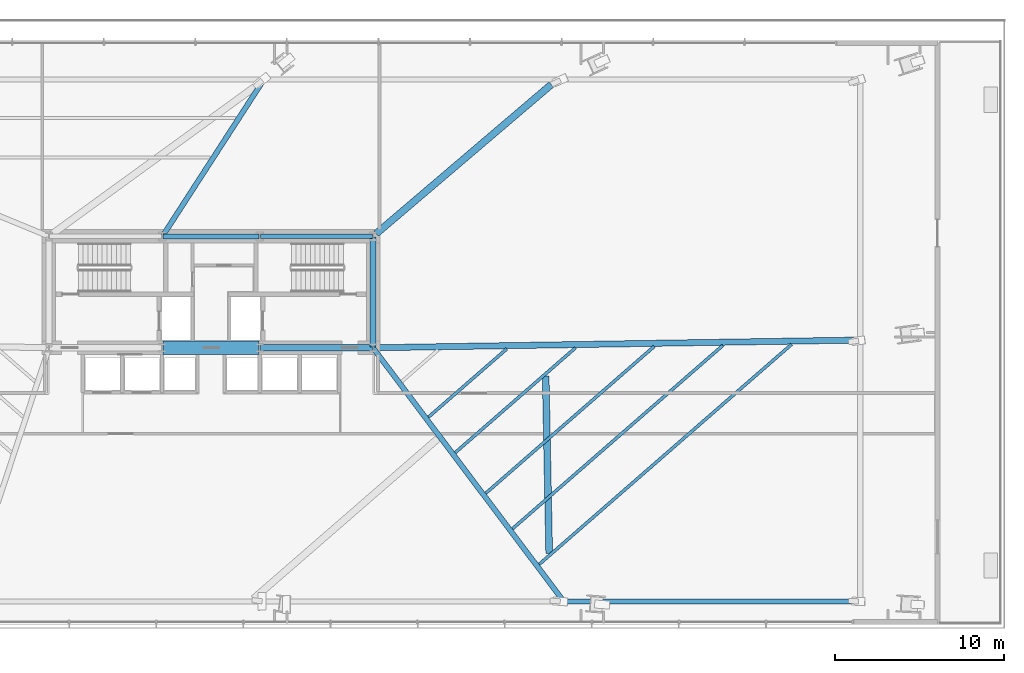
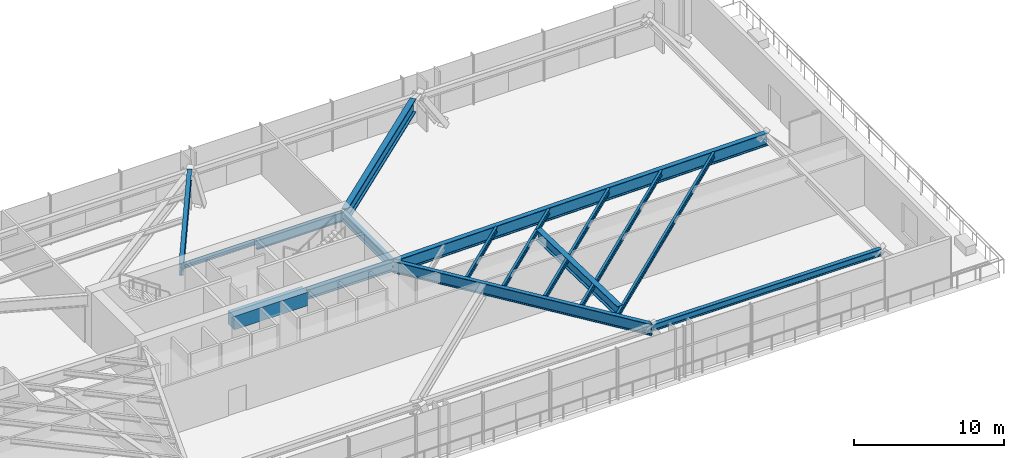
# One storey, part 15 of 36: 16 beams.
"""IFC4 building model written with IfcOpenShell, lengths in metres."""

from ifc_helpers import new_model, si_unit, direction, frame, origin, origin_2d, place, context, subcontext, project, spatial, rectangle, i_section, extrude, source, transform, mapped, material, material_profile, profile_set, type_object, type_shapes, element, save


model = new_model("IFC4")

# Units and contexts
model_context = context("Model", 3, precision=1e-05, world=origin(), true_north=direction((0.0, 1.0)))
body_context = subcontext(model_context, "Body", "Model", "MODEL_VIEW")
ifc_project = project(units=[si_unit("LENGTHUNIT", "METRE"), si_unit("AREAUNIT", "SQUARE_METRE"), si_unit("VOLUMEUNIT", "CUBIC_METRE"), si_unit("PLANEANGLEUNIT", "RADIAN"), si_unit("MASSUNIT", "GRAM", prefix="KILO")], contexts=[model_context])

# Site, building, storey
site_placement = place(None, origin())
site = spatial("IfcSite", under=ifc_project, at=site_placement, CompositionType="ELEMENT")
building_placement = place(site_placement, origin())
building = spatial("IfcBuilding", under=site, at=building_placement, Name="Astriad Promenade Condominiums", CompositionType="ELEMENT")
storey_placement = place(building_placement, frame((0.0, 0.0, 5.0)))
storey = spatial("IfcBuildingStorey", under=building, at=storey_placement, Name="L01", CompositionType="ELEMENT", Elevation=5.0)

# Beams
ifc_material_1 = material(Name="Steel ASTM A992 Grade 50", Category="steel")
ifc_material_profile_1 = material_profile(ifc_material_1, i_section(OverallWidth=0.3837890625, OverallDepth=0.785888671875, WebThickness=0.019775390625, FlangeThickness=0.033447265625, FilletRadius=0.021484375, at=origin_2d()), Name="W30X211")
ifc_profile_set_1 = profile_set([ifc_material_profile_1], Name="Steel ASTM A992 Grade 50")
beam_type_1 = type_object("IfcBeamType", Name="STEEL FLOOR GIRDER W30X211", PredefinedType="BEAM", material=ifc_profile_set_1)
shared_shape_1 = source(origin(), body_context, "Body", "SweptSolid", [
    extrude(i_section(OverallWidth=0.3837890625, OverallDepth=0.785888671875, WebThickness=0.019775390625, FlangeThickness=0.033447265625, FilletRadius=0.021484375, at=origin_2d()), origin(), (0.0, 0.0, 1.0), 6.64013671875),
])
type_shapes(beam_type_1, [shared_shape_1])
beam_1_placement = place(storey_placement, frame((38.919921875, 17.39990234375, 3.68701171875), z_axis=(1.0, 0.0, 0.0), x_axis=(0.0, 1.0, 0.0)))
element("IfcBeam", 1, at=beam_1_placement, inside=storey, type_object=beam_type_1, Name="Core Ring Beam CG-S3-L01", PredefinedType="BEAM", context=body_context, shape_type="MappedRepresentation", body=[
    mapped(shared_shape_1, transform((0.0, 0.0, 0.0), scale=1.0)),
])
ifc_material_2 = material(Name="Concrete C80/95", Category="concrete")
ifc_material_profile_2 = material_profile(ifc_material_2, rectangle(XDim=0.800048828125, YDim=1.10009765625, at=origin_2d()), Name="RC-BM-800X1100")
ifc_profile_set_2 = profile_set([ifc_material_profile_2], Name="Concrete C80/95")
beam_type_2 = type_object("IfcBeamType", Name="CONCRETE CORE COUPLING LINTEL 800X1100", PredefinedType="LINTEL", material=ifc_profile_set_2)
shared_shape_2 = source(origin(), body_context, "Body", "SweptSolid", [
    extrude(rectangle(XDim=0.800048828125, YDim=1.10009765625, at=origin_2d()), origin(), (0.0, 0.0, 1.0), 5.68017578125),
])
type_shapes(beam_type_2, [shared_shape_2])
beam_2_placement = place(storey_placement, frame((33.159912109375, 17.39990234375, 3.530029296875), z_axis=(1.0, 0.0, 0.0), x_axis=(0.0, 1.0, 0.0)))
element("IfcBeam", 2, at=beam_2_placement, inside=storey, type_object=beam_type_2, Name="Core Ring Beam CG-S2-L01", PredefinedType="LINTEL", context=body_context, shape_type="MappedRepresentation", body=[
    mapped(shared_shape_2, transform((0.0, 0.0, 0.0), scale=1.0)),
])
ifc_material_profile_3 = material_profile(ifc_material_1, i_section(OverallWidth=0.267822265625, OverallDepth=0.76953125, WebThickness=0.015625, FlangeThickness=0.025390625, FilletRadius=0.021484375, at=origin_2d()), Name="W30X132")
ifc_profile_set_3 = profile_set([ifc_material_profile_3], Name="Steel ASTM A992 Grade 50")
beam_type_3 = type_object("IfcBeamType", Name="STEEL FLOOR GIRDER W30X132", PredefinedType="BEAM", material=ifc_profile_set_3)
shared_shape_3 = source(origin(), body_context, "Body", "SweptSolid", [
    extrude(i_section(OverallWidth=0.267822265625, OverallDepth=0.76953125, WebThickness=0.015625, FlangeThickness=0.025390625, FilletRadius=0.021484375, at=origin_2d()), origin(), (0.0, 0.0, 1.0), 6.64013671875),
])
type_shapes(beam_type_3, [shared_shape_3])
beam_3_placement = place(storey_placement, frame((38.919921875, 24.0, 3.6953125), z_axis=(1.0, 0.0, 0.0), x_axis=(0.0, 1.0, 0.0)))
element("IfcBeam", 3, at=beam_3_placement, inside=storey, type_object=beam_type_3, Name="Core Ring Beam CG-N3-L01", PredefinedType="BEAM", context=body_context, shape_type="MappedRepresentation", body=[
    mapped(shared_shape_3, transform((0.0, 0.0, 0.0), scale=1.0)),
])
ifc_material_profile_4 = material_profile(ifc_material_1, i_section(OverallWidth=0.3046875, OverallDepth=0.307861328125, WebThickness=0.010009765625, FlangeThickness=0.015380859375, FilletRadius=0.01513671875, at=origin_2d()), Name="W12X65")
ifc_profile_set_4 = profile_set([ifc_material_profile_4], Name="Steel ASTM A992 Grade 50")
beam_type_4 = type_object("IfcBeamType", Name="STEEL OPENING LINTEL W12X65", PredefinedType="LINTEL", material=ifc_profile_set_4)
shared_shape_4 = source(origin(), body_context, "Body", "SweptSolid", [
    extrude(i_section(OverallWidth=0.3046875, OverallDepth=0.307861328125, WebThickness=0.010009765625, FlangeThickness=0.015380859375, FilletRadius=0.01513671875, at=origin_2d()), origin(), (0.0, 0.0, 1.0), 5.68017578125),
])
type_shapes(beam_type_4, [shared_shape_4])
beam_4_placement = place(storey_placement, frame((33.159912109375, 24.0, 3.926025390625), z_axis=(1.0, 0.0, 0.0), x_axis=(0.0, 1.0, 0.0)))
element("IfcBeam", 4, at=beam_4_placement, inside=storey, type_object=beam_type_4, Name="Core Ring Beam CG-N2-L01", PredefinedType="LINTEL", context=body_context, shape_type="MappedRepresentation", body=[
    mapped(shared_shape_4, transform((0.0, 0.0, 0.0), scale=1.0)),
])
ifc_material_profile_5 = material_profile(ifc_material_1, i_section(OverallWidth=0.35791015625, OverallDepth=0.706298828125, WebThickness=0.018310546875, FlangeThickness=0.0302734375, FilletRadius=0.020263671875, at=origin_2d()), Name="W27X178")
ifc_profile_set_5 = profile_set([ifc_material_profile_5], Name="Steel ASTM A992 Grade 50")
beam_type_5 = type_object("IfcBeamType", Name="STEEL FLOOR GIRDER W27X178", PredefinedType="BEAM", material=ifc_profile_set_5)
shared_shape_5 = source(origin(), body_context, "Body", "SweptSolid", [
    extrude(i_section(OverallWidth=0.35791015625, OverallDepth=0.706298828125, WebThickness=0.018310546875, FlangeThickness=0.0302734375, FilletRadius=0.020263671875, at=origin_2d()), origin(), (0.0, 0.0, 1.0), 6.52001953125),
])
type_shapes(beam_type_5, [shared_shape_5])
beam_5_placement = place(storey_placement, frame((45.60009765625, 17.43994140625, 3.726806640625), z_axis=(0.0, 1.0, 0.0), x_axis=(-1.0, 0.0, 0.0)))
element("IfcBeam", 5, at=beam_5_placement, inside=storey, type_object=beam_type_5, Name="Core Ring Beam CG-E1-L01", PredefinedType="BEAM", context=body_context, shape_type="MappedRepresentation", body=[
    mapped(shared_shape_5, transform((0.0, 0.0, 0.0), scale=1.0)),
])
ifc_material_profile_6 = material_profile(ifc_material_1, i_section(OverallWidth=0.3134765625, OverallDepth=0.54638671875, WebThickness=0.013916015625, FlangeThickness=0.022216796875, FilletRadius=0.0166015625, at=origin_2d()), Name="W21X111")
ifc_profile_set_6 = profile_set([ifc_material_profile_6], Name="Steel ASTM A992 Grade 50")
beam_type_6 = type_object("IfcBeamType", Name="STEEL SPANDREL BEAM W21X111", PredefinedType="SPANDREL", material=ifc_profile_set_6)
shared_shape_6 = source(origin(), body_context, "Body", "SweptSolid", [
    extrude(i_section(OverallWidth=0.3134765625, OverallDepth=0.54638671875, WebThickness=0.013916015625, FlangeThickness=0.022216796875, FilletRadius=0.0166015625, at=origin_2d()), origin(), (0.0, 0.0, 1.0), 17.60693359375),
])
type_shapes(beam_type_6, [shared_shape_6])
beam_6_placement = place(storey_placement, frame((56.827392578125, 2.36669921875, 3.806884765625), z_axis=(1.0, 0.0, 0.0), x_axis=(0.0, 1.0, 0.0)))
element("IfcBeam", 6, at=beam_6_placement, inside=storey, type_object=beam_type_6, Name="Perimeter Spandrel Beam SP-S4-L01", PredefinedType="SPANDREL", context=body_context, shape_type="MappedRepresentation", body=[
    mapped(shared_shape_6, transform((0.0, 0.0, 0.0), scale=1.0)),
])
ifc_material_profile_7 = material_profile(ifc_material_1, i_section(OverallWidth=0.307861328125, OverallDepth=0.9267578125, WebThickness=0.019287109375, FlangeThickness=0.031982421875, FilletRadius=0.024169921875, at=origin_2d()), Name="W36X194")
ifc_profile_set_7 = profile_set([ifc_material_profile_7], Name="Steel ASTM A992 Grade 50")
beam_type_7 = type_object("IfcBeamType", Name="STEEL PRIMARY GIRDER W36X194", PredefinedType="BEAM", material=ifc_profile_set_7)
shared_shape_7 = source(origin(), body_context, "Body", "SweptSolid", [
    extrude(i_section(OverallWidth=0.307861328125, OverallDepth=0.9267578125, WebThickness=0.019287109375, FlangeThickness=0.031982421875, FilletRadius=0.024169921875, at=origin_2d()), origin(), (0.0, 0.0, 1.0), 18.740478515625),
])
beam_7_placement = place(storey_placement, frame((56.886962890625, 2.389404296875, 3.61669921875), z_axis=(-0.600991703137, 0.799255261328, 0.0), x_axis=(-0.799255261328, -0.600991703137, 0.0)))
element("IfcBeam", 7, at=beam_7_placement, inside=storey, type_object=beam_type_7, Name="Primary Floor Girder PG-E2-L01", PredefinedType="BEAM", context=body_context, shape_type="MappedRepresentation", body=[
    mapped(shared_shape_7, transform((0.0, 0.0, 0.0), scale=1.0)),
])
ifc_material_profile_8 = material_profile(ifc_material_1, i_section(OverallWidth=0.361083984375, OverallDepth=1.025634765625, WebThickness=0.01904296875, FlangeThickness=0.0361328125, FilletRadius=0.025390625, at=origin_2d()), Name="W40X249")
ifc_profile_set_8 = profile_set([ifc_material_profile_8], Name="Steel ASTM A992 Grade 50")
beam_type_8 = type_object("IfcBeamType", Name="STEEL PODIUM GIRDER W40X249", PredefinedType="BEAM", material=ifc_profile_set_8)
shared_shape_8 = source(origin(), body_context, "Body", "SweptSolid", [
    extrude(i_section(OverallWidth=0.361083984375, OverallDepth=1.025634765625, WebThickness=0.01904296875, FlangeThickness=0.0361328125, FilletRadius=0.025390625, at=origin_2d()), origin(), (0.0, 0.0, 1.0), 29.021484375),
])
type_shapes(beam_type_8, [shared_shape_8])
beam_8_placement = place(storey_placement, frame((74.65771484375, 17.8623046875, 3.567138671875), z_axis=(-0.999873461962, -0.015907861687, 0.0), x_axis=(0.015907861687, -0.999873461962, 0.0)))
element("IfcBeam", 8, at=beam_8_placement, inside=storey, type_object=beam_type_8, Name="Primary Floor Girder PG-EM-L01", PredefinedType="BEAM", context=body_context, shape_type="MappedRepresentation", body=[
    mapped(shared_shape_8, transform((0.0, 0.0, 0.0), scale=1.0)),
])
shared_shape_9 = source(origin(), body_context, "Body", "SweptSolid", [
    extrude(i_section(OverallWidth=0.307861328125, OverallDepth=0.9267578125, WebThickness=0.019287109375, FlangeThickness=0.031982421875, FilletRadius=0.024169921875, at=origin_2d()), origin(), (0.0, 0.0, 1.0), 11.062255859375),
])
type_shapes(beam_type_7, [shared_shape_7, shared_shape_9])
beam_9_placement = place(storey_placement, frame((39.148681640625, 33.32275390625, 3.61669921875), z_axis=(-0.543028891812, -0.839714012422, 0.0), x_axis=(0.839714012422, -0.543028891812, 0.0)))
element("IfcBeam", 9, at=beam_9_placement, inside=storey, type_object=beam_type_7, Name="Primary Floor Girder PG-NC-L01", PredefinedType="BEAM", context=body_context, shape_type="MappedRepresentation", body=[
    mapped(shared_shape_9, transform((0.0, 0.0, 0.0), scale=1.0)),
])
ifc_material_profile_9 = material_profile(ifc_material_1, i_section(OverallWidth=0.180908203125, OverallDepth=0.417236328125, WebThickness=0.010986328125, FlangeThickness=0.018310546875, FilletRadius=0.013916015625, at=origin_2d()), Name="W16X57")
ifc_profile_set_9 = profile_set([ifc_material_profile_9], Name="Steel ASTM A992 Grade 50")
beam_type_9 = type_object("IfcBeamType", Name="STEEL FLOOR JOIST W16X57", PredefinedType="JOIST", material=ifc_profile_set_9)
shared_shape_10 = source(origin(), body_context, "Body", "SweptSolid", [
    extrude(i_section(OverallWidth=0.180908203125, OverallDepth=0.417236328125, WebThickness=0.010986328125, FlangeThickness=0.018310546875, FilletRadius=0.013916015625, at=origin_2d()), origin(), (0.0, 0.0, 1.0), 19.838623046875),
])
beam_10_placement = place(storey_placement, frame((55.451171875, 4.5712890625, 3.871337890625), z_axis=(0.75379742471, 0.657106872967, 0.0), x_axis=(-0.657106872967, 0.75379742471, 0.0)))
element("IfcBeam", 10, at=beam_10_placement, inside=storey, type_object=beam_type_9, Name="Secondary Composite Floor Joist JE1-1-L01", PredefinedType="JOIST", context=body_context, shape_type="MappedRepresentation", body=[
    mapped(shared_shape_10, transform((0.0, 0.0, 0.0), scale=1.0)),
])
shared_shape_11 = source(origin(), body_context, "Body", "SweptSolid", [
    extrude(i_section(OverallWidth=0.180908203125, OverallDepth=0.417236328125, WebThickness=0.010986328125, FlangeThickness=0.018310546875, FilletRadius=0.013916015625, at=origin_2d()), origin(), (0.0, 0.0, 1.0), 16.53515625),
])
beam_11_placement = place(storey_placement, frame((53.86767578125, 6.67724609375, 3.871337890625), z_axis=(0.753792794828, 0.657112184079, 0.0), x_axis=(-0.657112184079, 0.753792794828, 0.0)))
element("IfcBeam", 11, at=beam_11_placement, inside=storey, type_object=beam_type_9, Name="Secondary Composite Floor Joist JE1-2-L01", PredefinedType="JOIST", context=body_context, shape_type="MappedRepresentation", body=[
    mapped(shared_shape_11, transform((0.0, 0.0, 0.0), scale=1.0)),
])
shared_shape_12 = source(origin(), body_context, "Body", "SweptSolid", [
    extrude(i_section(OverallWidth=0.180908203125, OverallDepth=0.417236328125, WebThickness=0.010986328125, FlangeThickness=0.018310546875, FilletRadius=0.013916015625, at=origin_2d()), origin(), (0.0, 0.0, 1.0), 13.2314453125),
])
beam_12_placement = place(storey_placement, frame((52.2841796875, 8.783203125, 3.871337890625), z_axis=(0.753794992463, 0.657109663099, 0.0), x_axis=(-0.657109663099, 0.753794992463, 0.0)))
element("IfcBeam", 12, at=beam_12_placement, inside=storey, type_object=beam_type_9, Name="Secondary Composite Floor Joist JE1-3-L01", PredefinedType="JOIST", context=body_context, shape_type="MappedRepresentation", body=[
    mapped(shared_shape_12, transform((0.0, 0.0, 0.0), scale=1.0)),
])
shared_shape_13 = source(origin(), body_context, "Body", "SweptSolid", [
    extrude(i_section(OverallWidth=0.180908203125, OverallDepth=0.417236328125, WebThickness=0.010986328125, FlangeThickness=0.018310546875, FilletRadius=0.013916015625, at=origin_2d()), origin(), (0.0, 0.0, 1.0), 9.456298828125),
])
beam_13_placement = place(storey_placement, frame((50.474365234375, 11.18994140625, 3.871337890625), z_axis=(0.753784534539, 0.65712165958, 0.0), x_axis=(-0.65712165958, 0.753784534539, 0.0)))
element("IfcBeam", 13, at=beam_13_placement, inside=storey, type_object=beam_type_9, Name="Secondary Composite Floor Joist JE1-4-L01", PredefinedType="JOIST", context=body_context, shape_type="MappedRepresentation", body=[
    mapped(shared_shape_13, transform((0.0, 0.0, 0.0), scale=1.0)),
])
shared_shape_14 = source(origin(), body_context, "Body", "SweptSolid", [
    extrude(i_section(OverallWidth=0.180908203125, OverallDepth=0.417236328125, WebThickness=0.010986328125, FlangeThickness=0.018310546875, FilletRadius=0.013916015625, at=origin_2d()), origin(), (0.0, 0.0, 1.0), 6.15283203125),
])
type_shapes(beam_type_9, [shared_shape_10, shared_shape_11, shared_shape_12, shared_shape_13, shared_shape_14])
beam_14_placement = place(storey_placement, frame((48.890869140625, 13.2958984375, 3.871337890625), z_axis=(0.753782304966, 0.657124217116, 0.0), x_axis=(-0.657124217116, 0.753782304966, 0.0)))
element("IfcBeam", 14, at=beam_14_placement, inside=storey, type_object=beam_type_9, Name="Secondary Composite Floor Joist JE1-5-L01", PredefinedType="JOIST", context=body_context, shape_type="MappedRepresentation", body=[
    mapped(shared_shape_14, transform((0.0, 0.0, 0.0), scale=1.0)),
])
ifc_material_profile_10 = material_profile(ifc_material_1, i_section(OverallWidth=0.4013671875, OverallDepth=0.877197265625, WebThickness=0.022216796875, FlangeThickness=0.039794921875, FilletRadius=0.02294921875, at=origin_2d()), Name="W33X263")
ifc_profile_set_10 = profile_set([ifc_material_profile_10], Name="Steel ASTM A992 Grade 50")
beam_type_10 = type_object("IfcBeamType", Name="STEEL TRANSFER CARRIER GIRDER W33X263", PredefinedType="BEAM", material=ifc_profile_set_10)
shared_shape_15 = source(origin(), body_context, "Body", "SweptSolid", [
    extrude(i_section(OverallWidth=0.4013671875, OverallDepth=0.877197265625, WebThickness=0.022216796875, FlangeThickness=0.039794921875, FilletRadius=0.02294921875, at=origin_2d()), origin(), (0.0, 0.0, 1.0), 10.517822265625),
])
type_shapes(beam_type_10, [shared_shape_15])
beam_15_placement = place(storey_placement, frame((55.83251953125, 15.730712890625, 3.6416015625), z_axis=(0.019753301528, -0.999804884504, 0.0), x_axis=(0.999804884504, 0.019753301528, 0.0)))
element("IfcBeam", 15, at=beam_15_placement, inside=storey, type_object=beam_type_10, Name="Transfer Splice Carrier TRM-SP-PC04-L01", PredefinedType="BEAM", context=body_context, shape_type="MappedRepresentation", body=[
    mapped(shared_shape_15, transform((0.0, 0.0, 0.0), scale=1.0)),
])
ifc_material_profile_11 = material_profile(ifc_material_1, i_section(OverallWidth=0.4169921875, OverallDepth=1.093505859375, WebThickness=0.0390625, FlangeThickness=0.070068359375, FilletRadius=0.025390625, at=origin_2d()), Name="W40X503")
ifc_profile_set_11 = profile_set([ifc_material_profile_11], Name="Steel ASTM A992 Grade 50")
beam_type_11 = type_object("IfcBeamType", Name="STEEL TRANSFER GIRDER W40X503", PredefinedType="BEAM", material=ifc_profile_set_11)
shared_shape_16 = source(origin(), body_context, "Body", "SweptSolid", [
    extrude(i_section(OverallWidth=0.4169921875, OverallDepth=1.093505859375, WebThickness=0.0390625, FlangeThickness=0.070068359375, FilletRadius=0.025390625, at=origin_2d()), origin(), (0.0, 0.0, 1.0), 13.627197265625),
])
type_shapes(beam_type_11, [shared_shape_16])
beam_16_placement = place(storey_placement, frame((45.78662109375, 24.158935546875, 3.533203125), z_axis=(0.761293998942, 0.648406853122, 0.0), x_axis=(-0.648406853122, 0.761293998942, 0.0)))
element("IfcBeam", 16, at=beam_16_placement, inside=storey, type_object=beam_type_11, Name="Transfer Splice Carrier TRM-SP-PC09-L01", PredefinedType="BEAM", context=body_context, shape_type="MappedRepresentation", body=[
    mapped(shared_shape_16, transform((0.0, 0.0, 0.0), scale=1.0)),
])

save(model, "model.ifc")
